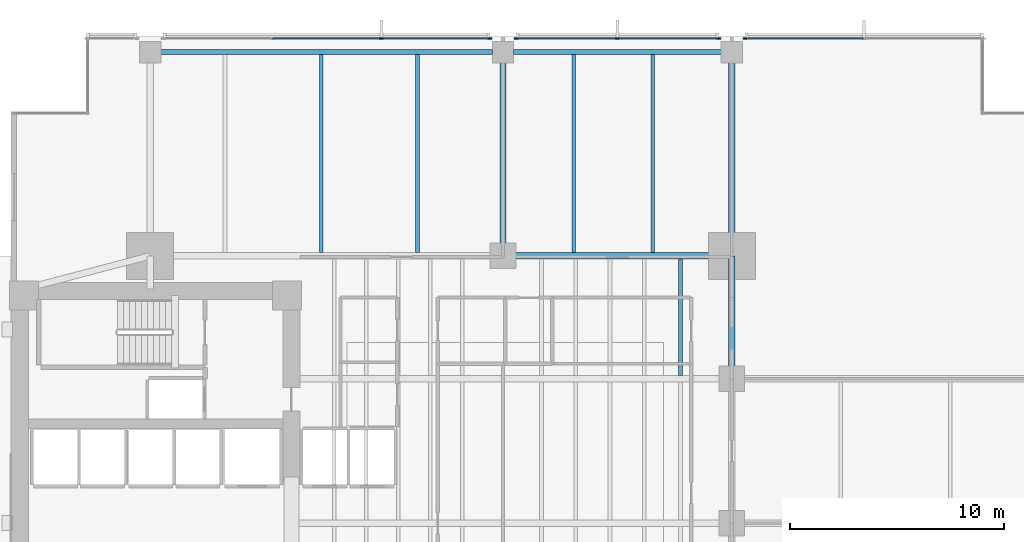
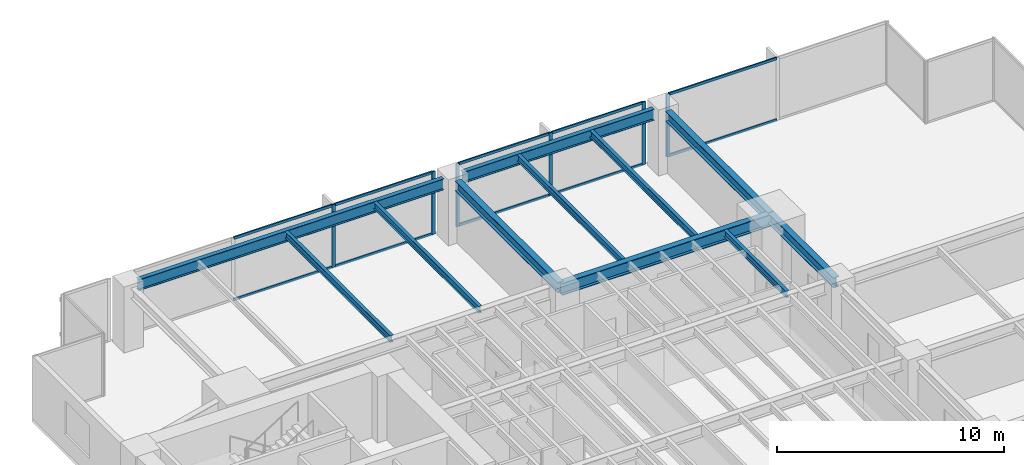
# One storey, part 6 of 16: 16 members, 11 beams, 3 elements without a shape of their own.
"""IFC4 building model written with IfcOpenShell, lengths in metres."""

from ifc_helpers import new_model, si_unit, direction, frame, origin, origin_2d, place, context, subcontext, project, spatial, rectangle, i_section, extrude, material, layer, layer_set, material_profile, profile_set, type_object, element, aggregate, save


model = new_model("IFC4")

# Units and contexts
model_context = context("Model", 3, precision=1e-05, world=origin(), true_north=direction((0.0, 1.0)))
body_context = subcontext(model_context, "Body", "Model", "MODEL_VIEW")
ifc_project = project(units=[si_unit("LENGTHUNIT", "METRE"), si_unit("AREAUNIT", "SQUARE_METRE"), si_unit("VOLUMEUNIT", "CUBIC_METRE"), si_unit("PLANEANGLEUNIT", "RADIAN"), si_unit("MASSUNIT", "GRAM", prefix="KILO")], contexts=[model_context])

# Site, building, storey
site_placement = place(None, origin())
site = spatial("IfcSite", under=ifc_project, at=site_placement, CompositionType="ELEMENT")
building_placement = place(site_placement, origin())
building = spatial("IfcBuilding", under=site, at=building_placement, Name="Kinhvarn Gate Tower", CompositionType="ELEMENT")
storey_placement = place(building_placement, frame((0.0, 0.0, 25.60009765625)))
storey = spatial("IfcBuildingStorey", under=building, at=storey_placement, Name="L05", CompositionType="ELEMENT", Elevation=25.60009765625)

# Curtain wall, member
ifc_material_1 = material(Name="Anodised aluminium AW-6063", Category="aluminium")
ifc_layer = layer(ifc_material_1, 0.179931640625)
ifc_layer_set = layer_set([ifc_layer], Name="Anodised aluminium AW-6063")
curtain_wall_type = type_object("IfcCurtainWallType", Name="CW-SYS-2", PredefinedType="NOTDEFINED", material=ifc_layer_set)
curtain_wall_1_placement = place(storey_placement, origin())
curtain_wall_1 = element("IfcCurtainWall", 1, at=curtain_wall_1_placement, inside=storey, type_object=curtain_wall_type, Name="Curtain Wall CW2 (L05)", PredefinedType="NOTDEFINED")
ifc_material_profile_1 = material_profile(ifc_material_1, rectangle(XDim=0.070068359375, YDim=0.179931640625, at=origin_2d()), Name="ALU 70x180")
ifc_profile_set_1 = profile_set([ifc_material_profile_1], Name="Anodised aluminium AW-6063")
member_type_1 = type_object("IfcMemberType", Name="CW-MUL-180", PredefinedType="MULLION", material=ifc_profile_set_1)
member_1_placement = place(storey_placement, frame((38.81494140625, 47.909912109375, 0.0), z_axis=(0.0, 0.0, 1.0), x_axis=(0.0, -1.0, 0.0)))
member_1 = element("IfcMember", 2, at=member_1_placement, type_object=member_type_1, Name="CW2 mullion 3", PredefinedType="MULLION", context=body_context, shape_type="SweptSolid", body=[
    extrude(rectangle(XDim=0.070068359375, YDim=0.179931640625, at=origin_2d()), origin(), (0.0, 0.0, 1.0), 3.369873046875),
])

# Curtain wall, members
curtain_wall_2_placement = place(storey_placement, origin())
curtain_wall_2 = element("IfcCurtainWall", 3, at=curtain_wall_2_placement, inside=storey, type_object=curtain_wall_type, Name="Curtain Wall CW2 (L05)", PredefinedType="NOTDEFINED")
member_2_placement = place(storey_placement, frame((37.5849609375, 47.909912109375, 0.0), z_axis=(0.0, 0.0, 1.0), x_axis=(0.0, -1.0, 0.0)))
member_2 = element("IfcMember", 4, at=member_2_placement, type_object=member_type_1, Name="CW2 mullion 1", PredefinedType="MULLION", context=body_context, shape_type="SweptSolid", body=[
    extrude(rectangle(XDim=0.070068359375, YDim=0.179931640625, at=origin_2d()), origin(), (0.0, 0.0, 1.0), 3.369873046875),
])
member_3_placement = place(storey_placement, frame((32.85009765625, 47.909912109375, 0.0), z_axis=(0.0, 0.0, 1.0), x_axis=(0.0, -1.0, 0.0)))
member_3 = element("IfcMember", 5, at=member_3_placement, type_object=member_type_1, Name="CW2 mullion 2", PredefinedType="MULLION", context=body_context, shape_type="SweptSolid", body=[
    extrude(rectangle(XDim=0.070068359375, YDim=0.179931640625, at=origin_2d()), origin(), (0.0, 0.0, 1.0), 3.369873046875),
])
member_4_placement = place(storey_placement, frame((28.114990234375, 47.909912109375, 0.0), z_axis=(0.0, 0.0, 1.0), x_axis=(0.0, -1.0, 0.0)))
member_4 = element("IfcMember", 6, at=member_4_placement, type_object=member_type_1, Name="CW2 mullion 3", PredefinedType="MULLION", context=body_context, shape_type="SweptSolid", body=[
    extrude(rectangle(XDim=0.070068359375, YDim=0.179931640625, at=origin_2d()), origin(), (0.0, 0.0, 1.0), 3.369873046875),
])

curtain_wall_3_placement = place(storey_placement, origin())
curtain_wall_3 = element("IfcCurtainWall", 7, at=curtain_wall_3_placement, inside=storey, type_object=curtain_wall_type, Name="Curtain Wall CW2 (L05)", PredefinedType="NOTDEFINED")
member_5_placement = place(storey_placement, frame((26.885009765625, 47.909912109375, 0.0), z_axis=(0.0, 0.0, 1.0), x_axis=(0.0, -1.0, 0.0)))
member_5 = element("IfcMember", 8, at=member_5_placement, type_object=member_type_1, Name="CW2 mullion 1", PredefinedType="MULLION", context=body_context, shape_type="SweptSolid", body=[
    extrude(rectangle(XDim=0.070068359375, YDim=0.179931640625, at=origin_2d()), origin(), (0.0, 0.0, 1.0), 3.369873046875),
])
member_6_placement = place(storey_placement, frame((21.806640625, 47.909912109375, 0.0), z_axis=(0.0, 0.0, 1.0), x_axis=(0.0, -1.0, 0.0)))
member_6 = element("IfcMember", 9, at=member_6_placement, type_object=member_type_1, Name="CW2 mullion 2", PredefinedType="MULLION", context=body_context, shape_type="SweptSolid", body=[
    extrude(rectangle(XDim=0.070068359375, YDim=0.179931640625, at=origin_2d()), origin(), (0.0, 0.0, 1.0), 3.369873046875),
])

# Member
ifc_material_profile_2 = material_profile(ifc_material_1, rectangle(XDim=0.070068359375, YDim=0.139892578125, at=origin_2d()), Name="ALU 70x140")
ifc_profile_set_2 = profile_set([ifc_material_profile_2], Name="Anodised aluminium AW-6063")
member_type_2 = type_object("IfcMemberType", Name="CW-TRN-140", PredefinedType="USERDEFINED", material=ifc_profile_set_2)
member_7_placement = place(storey_placement, frame((44.35498046875, 47.909912109375, 0.034912109375), z_axis=(-1.0, 0.0, 0.0), x_axis=(0.0, -1.0, 0.0)))
member_7 = element("IfcMember", 10, at=member_7_placement, type_object=member_type_2, Name="CW2 transom 2.1", ObjectType="TRANSOM", PredefinedType="USERDEFINED", context=body_context, shape_type="SweptSolid", body=[
    extrude(rectangle(XDim=0.070068359375, YDim=0.139892578125, at=origin_2d()), origin(), (0.0, 0.0, 1.0), 5.5048828125),
])

member_8_placement = place(storey_placement, frame((44.35498046875, 47.909912109375, 3.3349609375), z_axis=(-1.0, 0.0, 0.0), x_axis=(0.0, -1.0, 0.0)))
member_8 = element("IfcMember", 11, at=member_8_placement, type_object=member_type_2, Name="CW2 transom 2.2", ObjectType="TRANSOM", PredefinedType="USERDEFINED", context=body_context, shape_type="SweptSolid", body=[
    extrude(rectangle(XDim=0.070068359375, YDim=0.139892578125, at=origin_2d()), origin(), (0.0, 0.0, 1.0), 5.5048828125),
])

aggregate(curtain_wall_1, [member_1, member_7, member_8])

member_9_placement = place(storey_placement, frame((37.550048828125, 47.909912109375, 0.034912109375), z_axis=(-1.0, 0.0, 0.0), x_axis=(0.0, -1.0, 0.0)))
member_9 = element("IfcMember", 12, at=member_9_placement, type_object=member_type_2, Name="CW2 transom 1.1", ObjectType="TRANSOM", PredefinedType="USERDEFINED", context=body_context, shape_type="SweptSolid", body=[
    extrude(rectangle(XDim=0.070068359375, YDim=0.139892578125, at=origin_2d()), origin(), (0.0, 0.0, 1.0), 4.6650390625),
])

member_10_placement = place(storey_placement, frame((37.550048828125, 47.909912109375, 3.3349609375), z_axis=(-1.0, 0.0, 0.0), x_axis=(0.0, -1.0, 0.0)))
member_10 = element("IfcMember", 13, at=member_10_placement, type_object=member_type_2, Name="CW2 transom 1.2", ObjectType="TRANSOM", PredefinedType="USERDEFINED", context=body_context, shape_type="SweptSolid", body=[
    extrude(rectangle(XDim=0.070068359375, YDim=0.139892578125, at=origin_2d()), origin(), (0.0, 0.0, 1.0), 4.6650390625),
])

member_11_placement = place(storey_placement, frame((32.81494140625, 47.909912109375, 0.034912109375), z_axis=(-1.0, 0.0, 0.0), x_axis=(0.0, -1.0, 0.0)))
member_11 = element("IfcMember", 14, at=member_11_placement, type_object=member_type_2, Name="CW2 transom 2.1", ObjectType="TRANSOM", PredefinedType="USERDEFINED", context=body_context, shape_type="SweptSolid", body=[
    extrude(rectangle(XDim=0.070068359375, YDim=0.139892578125, at=origin_2d()), origin(), (0.0, 0.0, 1.0), 4.6650390625),
])

member_12_placement = place(storey_placement, frame((32.81494140625, 47.909912109375, 3.3349609375), z_axis=(-1.0, 0.0, 0.0), x_axis=(0.0, -1.0, 0.0)))
member_12 = element("IfcMember", 15, at=member_12_placement, type_object=member_type_2, Name="CW2 transom 2.2", ObjectType="TRANSOM", PredefinedType="USERDEFINED", context=body_context, shape_type="SweptSolid", body=[
    extrude(rectangle(XDim=0.070068359375, YDim=0.139892578125, at=origin_2d()), origin(), (0.0, 0.0, 1.0), 4.6650390625),
])

aggregate(curtain_wall_2, [member_2, member_3, member_4, member_9, member_10, member_11, member_12])

member_13_placement = place(storey_placement, frame((26.85009765625, 47.909912109375, 0.034912109375), z_axis=(-1.0, 0.0, 0.0), x_axis=(0.0, -1.0, 0.0)))
member_13 = element("IfcMember", 16, at=member_13_placement, type_object=member_type_2, Name="CW2 transom 1.1", ObjectType="TRANSOM", PredefinedType="USERDEFINED", context=body_context, shape_type="SweptSolid", body=[
    extrude(rectangle(XDim=0.070068359375, YDim=0.139892578125, at=origin_2d()), origin(), (0.0, 0.0, 1.0), 5.008544921875),
])

member_14_placement = place(storey_placement, frame((26.85009765625, 47.909912109375, 3.3349609375), z_axis=(-1.0, 0.0, 0.0), x_axis=(0.0, -1.0, 0.0)))
member_14 = element("IfcMember", 17, at=member_14_placement, type_object=member_type_2, Name="CW2 transom 1.2", ObjectType="TRANSOM", PredefinedType="USERDEFINED", context=body_context, shape_type="SweptSolid", body=[
    extrude(rectangle(XDim=0.070068359375, YDim=0.139892578125, at=origin_2d()), origin(), (0.0, 0.0, 1.0), 5.008544921875),
])

member_15_placement = place(storey_placement, frame((21.771728515625, 47.909912109375, 0.034912109375), z_axis=(-1.0, 0.0, 0.0), x_axis=(0.0, -1.0, 0.0)))
member_15 = element("IfcMember", 18, at=member_15_placement, type_object=member_type_2, Name="CW2 transom 2.1", ObjectType="TRANSOM", PredefinedType="USERDEFINED", context=body_context, shape_type="SweptSolid", body=[
    extrude(rectangle(XDim=0.070068359375, YDim=0.139892578125, at=origin_2d()), origin(), (0.0, 0.0, 1.0), 5.04345703125),
])

member_16_placement = place(storey_placement, frame((21.771728515625, 47.909912109375, 3.3349609375), z_axis=(-1.0, 0.0, 0.0), x_axis=(0.0, -1.0, 0.0)))
member_16 = element("IfcMember", 19, at=member_16_placement, type_object=member_type_2, Name="CW2 transom 2.2", ObjectType="TRANSOM", PredefinedType="USERDEFINED", context=body_context, shape_type="SweptSolid", body=[
    extrude(rectangle(XDim=0.070068359375, YDim=0.139892578125, at=origin_2d()), origin(), (0.0, 0.0, 1.0), 5.04345703125),
])

aggregate(curtain_wall_3, [member_5, member_6, member_13, member_14, member_15, member_16])

# Beams
ifc_material_2 = material(Name="Steel S355", Category="steel")
ifc_material_profile_3 = material_profile(ifc_material_2, i_section(OverallWidth=0.300048828125, OverallDepth=0.550048828125, WebThickness=0.014892578125, FlangeThickness=0.029052734375, at=origin_2d()), Name="HEB 550")
ifc_profile_set_3 = profile_set([ifc_material_profile_3], Name="Steel S355")
beam_type_1 = type_object("IfcBeamType", Name="STL-HEB550", PredefinedType="BEAM", material=ifc_profile_set_3)
for number, where, z_axis, x_axis, name in (
    (20, (27.5, 37.75, 3.094970703125), (0.0, 1.0, 0.0), (-1.0, 0.0, 0.0), "Floor Beam PG-15 (L05 SP27-N-TIE)"),
    (21, (38.199951171875, 37.75, 3.094970703125), (0.0, 1.0, 0.0), (-1.0, 0.0, 0.0), "Floor Beam PG-15 (L05 MCE-N)"),
):
    element("IfcBeam", number, at=place(storey_placement, frame(where, z_axis=z_axis, x_axis=x_axis)), inside=storey, type_object=beam_type_1, Name=name, PredefinedType="BEAM", context=body_context, shape_type="SweptSolid", body=[
        extrude(i_section(OverallWidth=0.300048828125, OverallDepth=0.550048828125, WebThickness=0.014892578125, FlangeThickness=0.029052734375, at=origin_2d()), origin(), (0.0, 0.0, 1.0), 9.044921875),
    ])
beam_1_placement = place(storey_placement, frame((38.199951171875, 32.0, 3.094970703125), z_axis=(0.0, 1.0, 0.0), x_axis=(-1.0, 0.0, 0.0)))
element("IfcBeam", 22, at=beam_1_placement, inside=storey, type_object=beam_type_1, Name="Floor Beam PG-15 (L05 MG-E-32)", PredefinedType="BEAM", context=body_context, shape_type="SweptSolid", body=[
    extrude(i_section(OverallWidth=0.300048828125, OverallDepth=0.550048828125, WebThickness=0.014892578125, FlangeThickness=0.029052734375, at=origin_2d()), origin(), (0.0, 0.0, 1.0), 5.75),
])
ifc_material_profile_4 = material_profile(ifc_material_2, i_section(OverallWidth=0.300048828125, OverallDepth=0.64990234375, WebThickness=0.01611328125, FlangeThickness=0.031005859375, at=origin_2d()), Name="HEB 650")
ifc_profile_set_4 = profile_set([ifc_material_profile_4], Name="Steel S355")
beam_type_2 = type_object("IfcBeamType", Name="STL-HEB650", PredefinedType="BEAM", material=ifc_profile_set_4)
beam_2_placement = place(storey_placement, frame((27.5, 37.75, 3.044921875), z_axis=(1.0, 0.0, 0.0), x_axis=(0.0, 1.0, 0.0)))
element("IfcBeam", 23, at=beam_2_placement, inside=storey, type_object=beam_type_2, Name="Floor Beam PG-17 (L05 MG-N2)", PredefinedType="BEAM", context=body_context, shape_type="SweptSolid", body=[
    extrude(i_section(OverallWidth=0.300048828125, OverallDepth=0.64990234375, WebThickness=0.01611328125, FlangeThickness=0.031005859375, at=origin_2d()), origin(), (0.0, 0.0, 1.0), 10.699951171875),
])
ifc_material_profile_5 = material_profile(ifc_material_2, i_section(OverallWidth=0.169921875, OverallDepth=0.360107421875, WebThickness=0.008056640625, FlangeThickness=0.0126953125, at=origin_2d()), Name="IPE 360")
ifc_profile_set_5 = profile_set([ifc_material_profile_5], Name="Steel S355")
beam_type_3 = type_object("IfcBeamType", Name="STL-IPE360", PredefinedType="JOIST", material=ifc_profile_set_5)
beam_3_placement = place(storey_placement, frame((35.800048828125, 32.14990234375, 3.18994140625), z_axis=(0.0, 1.0, 0.0), x_axis=(-1.0, 0.0, 0.0)))
element("IfcBeam", 24, at=beam_3_placement, inside=storey, type_object=beam_type_3, Name="Floor Joist SB-04 (L05 JC-X358-3)", PredefinedType="JOIST", context=body_context, shape_type="SweptSolid", body=[
    extrude(i_section(OverallWidth=0.169921875, OverallDepth=0.360107421875, WebThickness=0.008056640625, FlangeThickness=0.0126953125, at=origin_2d()), origin(), (0.0, 0.0, 1.0), 5.4501953125),
])
for number, where, z_axis, x_axis, name in (
    (25, (19.0, 37.89990234375, 3.18994140625), (0.0, 1.0, 0.0), (-1.0, 0.0, 0.0), "Floor Joist SB-04 (L05 JN-X190)"),
    (26, (23.5, 37.89990234375, 3.18994140625), (0.0, 1.0, 0.0), (-1.0, 0.0, 0.0), "Floor Joist SB-04 (L05 JN-X235)"),
    (27, (30.800048828125, 37.89990234375, 3.18994140625), (0.0, 1.0, 0.0), (-1.0, 0.0, 0.0), "Floor Joist SB-04 (L05 JN-X308)"),
    (28, (34.5, 37.89990234375, 3.18994140625), (0.0, 1.0, 0.0), (-1.0, 0.0, 0.0), "Floor Joist SB-04 (L05 JN-X345)"),
):
    element("IfcBeam", number, at=place(storey_placement, frame(where, z_axis=z_axis, x_axis=x_axis)), inside=storey, type_object=beam_type_3, Name=name, PredefinedType="JOIST", context=body_context, shape_type="SweptSolid", body=[
        extrude(i_section(OverallWidth=0.169921875, OverallDepth=0.360107421875, WebThickness=0.008056640625, FlangeThickness=0.0126953125, at=origin_2d()), origin(), (0.0, 0.0, 1.0), 9.27001953125),
    ])
ifc_material_profile_6 = material_profile(ifc_material_2, i_section(OverallWidth=0.219970703125, OverallDepth=0.60009765625, WebThickness=0.011962890625, FlangeThickness=0.01904296875, at=origin_2d()), Name="IPE 600")
ifc_profile_set_6 = profile_set([ifc_material_profile_6], Name="Steel S355")
beam_type_4 = type_object("IfcBeamType", Name="STL-IPE600", PredefinedType="SPANDREL", material=ifc_profile_set_6)
beam_4_placement = place(storey_placement, frame((11.485107421875, 47.280029296875, 3.06982421875), z_axis=(1.0, 0.0, 0.0), x_axis=(0.0, 1.0, 0.0)))
element("IfcBeam", 29, at=beam_4_placement, inside=storey, type_object=beam_type_4, Name="Floor Spandrel SB-09 (L05 SP-N1)", PredefinedType="SPANDREL", context=body_context, shape_type="SweptSolid", body=[
    extrude(i_section(OverallWidth=0.219970703125, OverallDepth=0.60009765625, WebThickness=0.011962890625, FlangeThickness=0.01904296875, at=origin_2d()), origin(), (0.0, 0.0, 1.0), 15.52978515625),
])
beam_5_placement = place(storey_placement, frame((27.985107421875, 47.280029296875, 3.06982421875), z_axis=(1.0, 0.0, 0.0), x_axis=(0.0, 1.0, 0.0)))
element("IfcBeam", 30, at=beam_5_placement, inside=storey, type_object=beam_type_4, Name="Floor Spandrel SB-09 (L05 SP-N2)", PredefinedType="SPANDREL", context=body_context, shape_type="SweptSolid", body=[
    extrude(i_section(OverallWidth=0.219970703125, OverallDepth=0.60009765625, WebThickness=0.011962890625, FlangeThickness=0.01904296875, at=origin_2d()), origin(), (0.0, 0.0, 1.0), 9.72998046875),
])

save(model, "model.ifc")
